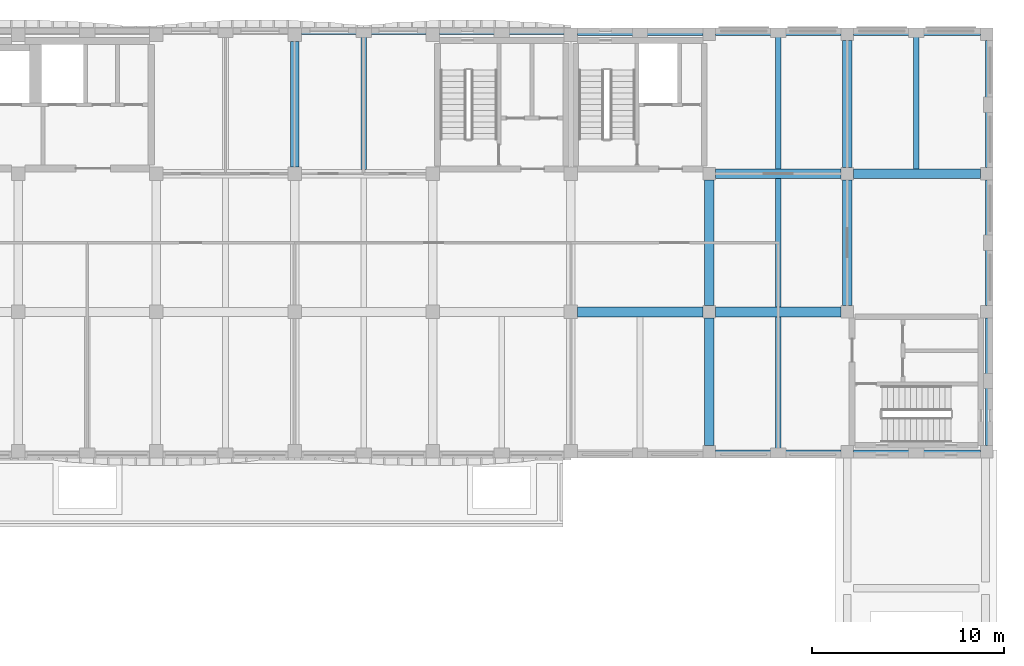
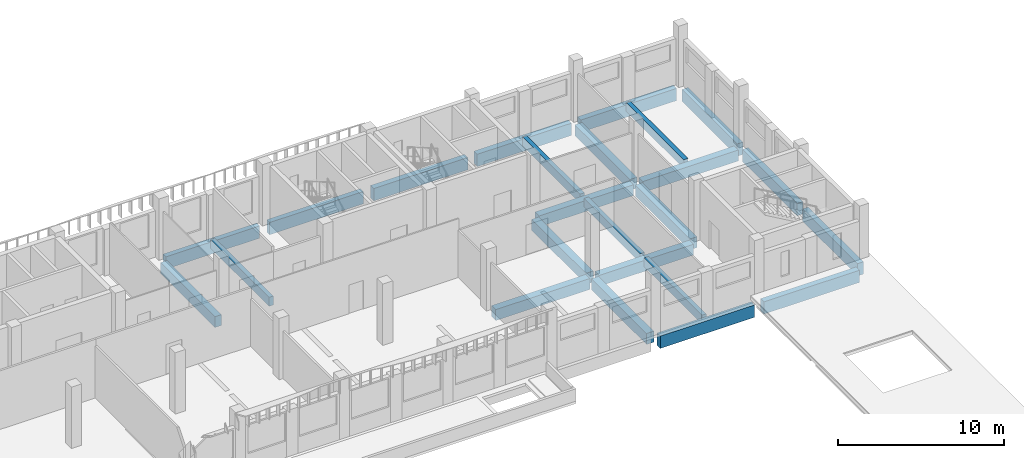
# One storey, part 13 of 59: 24 beams.
"""IFC4 building model written with IfcOpenShell, lengths in metres."""

import ifcopenshell
import ifcopenshell.guid

model = None  # the IFC model being written
_history = None  # IfcOwnerHistory: only IFC2X3 demands one
_inside = {}  # id of a spatial element -> (the spatial element, [elements in it])
_under = {}  # id of a project, library or spatial element -> (it, [spatial elements below it])
_declared = {}  # id of a project -> (the project, [libraries it declares])
_typed = {}  # id of a type object -> (the type object, [elements of that type])
_made_of = {}  # id of a material, layer set ... -> (it, [elements and type objects made of it])


def new_model(schema):
    """Start an empty IFC model of exactly this schema.

    Asked for "IFC4X3", IfcOpenShell would pick the latest addendum, in which some entities
    have other attributes; the version numbers below select the first issue.
    IFC2X3 requires an IfcOwnerHistory on every rooted entity: one is made here for all.
    """
    global model, _history
    if schema == "IFC4X3":
        model = ifcopenshell.file(schema_version=(4, 3, 0, 0))
    else:
        model = ifcopenshell.file(schema=schema)
    _inside.clear()
    _under.clear()
    _declared.clear()
    _typed.clear()
    _made_of.clear()
    _history = None
    if model.schema == "IFC2X3":
        org = make("IfcOrganization", Name="unknown")
        user = make(
            "IfcPersonAndOrganization",
            ThePerson=make("IfcPerson", FamilyName="unknown"),
            TheOrganization=org,
        )
        app = make(
            "IfcApplication",
            ApplicationDeveloper=org,
            Version="unknown",
            ApplicationFullName="unknown",
            ApplicationIdentifier="unknown",
        )
        _history = make(
            "IfcOwnerHistory",
            OwningUser=user,
            OwningApplication=app,
            ChangeAction="ADDED",
            CreationDate=0,
        )
    return model


def make(cls, **values):
    """One entity of the class cls with the attributes given. An attribute that is None is left unset."""
    return model.create_entity(
        cls, **{name: value for name, value in values.items() if value is not None}
    )


def rooted(cls, **values):
    """An entity with a GlobalId (a new one), such as an element, a storey or a relation."""
    return make(cls, GlobalId=ifcopenshell.guid.new(), OwnerHistory=_history, **values)


def si_unit(unit_type, name, prefix=None):
    """IfcSIUnit, for example si_unit("LENGTHUNIT", "METRE", prefix="MILLI")."""
    return make("IfcSIUnit", UnitType=unit_type, Prefix=prefix, Name=name)


def assignment(units):
    """IfcUnitAssignment: the units of a project."""
    return None if units is None else make("IfcUnitAssignment", Units=units)


def point(xyz):
    """IfcCartesianPoint."""
    return None if xyz is None else make("IfcCartesianPoint", Coordinates=xyz)


def direction(xyz):
    """IfcDirection."""
    return None if xyz is None else make("IfcDirection", DirectionRatios=xyz)


def frame(location, z_axis=None, x_axis=None):
    """IfcAxis2Placement3D, a coordinate frame: its origin and axes. An axis left out is left unset."""
    return make(
        "IfcAxis2Placement3D",
        Location=point(location),
        Axis=direction(z_axis),
        RefDirection=direction(x_axis),
    )


def frame_2d(location, x_axis=None):
    """IfcAxis2Placement2D, a coordinate frame in the plane: its origin and x axis."""
    return make(
        "IfcAxis2Placement2D", Location=point(location), RefDirection=direction(x_axis)
    )


def origin():
    """The frame at (0, 0, 0) with its axes left unset."""
    return frame((0.0, 0.0, 0.0))


def origin_2d():
    """The frame at (0, 0) in the plane with its x axis left unset."""
    return frame_2d((0.0, 0.0))


def place(relative_to, where):
    """IfcLocalPlacement: puts the frame where relative to a parent placement (None: the world)."""
    return make(
        "IfcLocalPlacement", PlacementRelTo=relative_to, RelativePlacement=where
    )


def context(
    kind, dimensions, precision=None, world=None, true_north=None, identifier=None
):
    """IfcGeometricRepresentationContext, for example the 3D "Model" context."""
    return make(
        "IfcGeometricRepresentationContext",
        ContextIdentifier=identifier,
        ContextType=kind,
        CoordinateSpaceDimension=dimensions,
        Precision=precision,
        WorldCoordinateSystem=world,
        TrueNorth=true_north,
    )


def subcontext(parent, identifier, kind, view, scale=None):
    """IfcGeometricRepresentationSubContext, for example "Body" below "Model"."""
    return make(
        "IfcGeometricRepresentationSubContext",
        ContextIdentifier=identifier,
        ContextType=kind,
        ParentContext=parent,
        TargetScale=scale,
        TargetView=view,
    )


def project(units=None, contexts=None):
    """IfcProject with its units and contexts."""
    return rooted(
        "IfcProject",
        Name="project",
        RepresentationContexts=contexts,
        UnitsInContext=assignment(units),
    )


def spatial(cls, under=None, at=None, **own):
    """A site, building, storey or space (cls), placed at a placement, below another one or the project."""
    s = rooted(cls, ObjectPlacement=at, **own)
    if under is not None:
        _under.setdefault(under.id(), (under, []))[1].append(s)
    return s


def profile(cls, at=None, kind="AREA", **sizes):
    """A parametric profile (cls). Its sizes go by their IFC names, for example OverallWidth=200.0."""
    return make(cls, ProfileType=kind, Position=at, **sizes)


def rectangle(**sizes):
    """IfcRectangleProfileDef."""
    return profile("IfcRectangleProfileDef", **sizes)


def extrude(swept, where, along, depth):
    """IfcExtrudedAreaSolid: the profile swept, set in the frame where, extruded along a direction by depth."""
    return make(
        "IfcExtrudedAreaSolid",
        SweptArea=swept,
        Position=where,
        ExtrudedDirection=direction(along),
        Depth=depth,
    )


def shape(context_of_items, identifier, shape_type, items):
    """IfcShapeRepresentation: the items that make up one representation, for example the "Body"."""
    return make(
        "IfcShapeRepresentation",
        ContextOfItems=context_of_items,
        RepresentationIdentifier=identifier,
        RepresentationType=shape_type,
        Items=items,
    )


def material(Name=None, Category=None):
    """IfcMaterial."""
    return make("IfcMaterial", Name=Name, Category=Category)


def material_profile(
    of_material, cross_section, Name=None, Category=None, Priority=None
):
    """IfcMaterialProfile: a cross section and its material."""
    return make(
        "IfcMaterialProfile",
        Name=Name,
        Material=of_material,
        Profile=cross_section,
        Priority=Priority,
        Category=Category,
    )


def profile_set(profiles, Name=None, composite=None):
    """IfcMaterialProfileSet."""
    return make(
        "IfcMaterialProfileSet",
        Name=Name,
        MaterialProfiles=profiles,
        CompositeProfile=composite,
    )


def made_of(thing, what):
    """Note that an element or type object is made of a material, layer set ...; save() writes the relation."""
    if what is not None:
        _made_of.setdefault(what.id(), (what, []))[1].append(thing)
    return thing


def type_object(cls, material=None, **own):
    """A type object (cls), such as IfcWallType, which elements share."""
    return made_of(rooted(cls, **own), material)


def element(
    cls,
    number,
    at=None,
    inside=None,
    cuts=None,
    type_object=None,
    material=None,
    context=None,
    identifier="Body",
    shape_type=None,
    held_by="IfcProductDefinitionShape",
    body=None,
    shapes=None,
    **own,
):
    """One element of the class cls, such as IfcWall. Its Tag is "e" and its number.

    at: its placement. inside: the storey or other place that contains it. cuts: it is an
    opening in that element (IfcRelVoidsElement). A single representation is given by context,
    identifier, shape_type and body (its items); several are given by shapes. held_by: the class
    of the entity that holds the representations. save() writes the other relations.
    """
    e = rooted(cls, Tag="e%d" % number, ObjectPlacement=at, **own)
    if body is not None:
        shapes = [shape(context, identifier, shape_type, body)]
    if shapes is not None:
        e.Representation = make(held_by, Representations=shapes)
    if inside is not None:
        _inside.setdefault(inside.id(), (inside, []))[1].append(e)
    if cuts is not None:
        rooted(
            "IfcRelVoidsElement", RelatingBuildingElement=cuts, RelatedOpeningElement=e
        )
    if type_object is not None:
        _typed.setdefault(type_object.id(), (type_object, []))[1].append(e)
    return made_of(e, material)


def aggregate(whole, parts):
    """IfcRelAggregates: a whole, such as a stair, and the parts it consists of."""
    return rooted("IfcRelAggregates", RelatingObject=whole, RelatedObjects=parts)


def save(model, path):
    """Write the relations noted so far, then the file.

    IfcRelAggregates (storeys below a building ...), IfcRelContainedInSpatialStructure (elements
    in a storey), IfcRelDefinesByType, IfcRelAssociatesMaterial and IfcRelDeclares: one each for
    every whole, place, type object, material and project.
    """
    for whole, parts in _under.values():
        aggregate(whole, parts)
    for where, things in _inside.values():
        rooted(
            "IfcRelContainedInSpatialStructure",
            RelatedElements=things,
            RelatingStructure=where,
        )
    for kind, things in _typed.values():
        rooted("IfcRelDefinesByType", RelatedObjects=things, RelatingType=kind)
    for what, things in _made_of.values():
        rooted("IfcRelAssociatesMaterial", RelatedObjects=things, RelatingMaterial=what)
    for by, libraries in _declared.values():
        rooted("IfcRelDeclares", RelatingContext=by, RelatedDefinitions=libraries)
    model.write(path)


model = new_model("IFC4")

# Units and contexts
model_context = context("Model", 3, precision=1e-05, world=origin(), true_north=direction((0.0, 1.0)))
body_context = subcontext(model_context, "Body", "Model", "MODEL_VIEW")
ifc_project = project(units=[si_unit("LENGTHUNIT", "METRE"), si_unit("AREAUNIT", "SQUARE_METRE"), si_unit("VOLUMEUNIT", "CUBIC_METRE"), si_unit("PLANEANGLEUNIT", "RADIAN"), si_unit("MASSUNIT", "GRAM", prefix="KILO")], contexts=[model_context])

# Site, building, storey
site_placement = place(None, origin())
site = spatial("IfcSite", under=ifc_project, at=site_placement, CompositionType="ELEMENT")
building_placement = place(site_placement, origin())
building = spatial("IfcBuilding", under=site, at=building_placement, Name="Ussher Court Research Institute", CompositionType="ELEMENT")
storey_placement = place(building_placement, frame((0.0, 0.0, 5.39990234375)))
storey = spatial("IfcBuildingStorey", under=building, at=storey_placement, Name="L01", CompositionType="ELEMENT", Elevation=5.39990234375)

# Beams
ifc_material_1 = material(Name="Concrete C35/45", Category="concrete")
ifc_material_profile_1 = material_profile(ifc_material_1, rectangle(XDim=0.300048828125, YDim=0.64990234375, at=origin_2d()), Name="RC 300x650")
ifc_profile_set_1 = profile_set([ifc_material_profile_1], Name="Concrete C35/45")
beam_type_1 = type_object("IfcBeamType", Name="RC 300x650 beam", PredefinedType="BEAM", material=ifc_profile_set_1)
beam_1_placement = place(storey_placement, frame((71.39990234375, 83.425048828125, -0.324951171875), z_axis=(0.0, 1.0, 0.0), x_axis=(-1.0, 0.0, 0.0)))
element("IfcBeam", 1, at=beam_1_placement, inside=storey, type_object=beam_type_1, Name="B4 V5 L01-24", PredefinedType="BEAM", context=body_context, shape_type="SweptSolid", body=[
    extrude(rectangle(XDim=0.300048828125, YDim=0.64990234375, at=origin_2d()), origin(), (0.0, 0.0, 1.0), 7.02490234375),
])
beam_2_placement = place(storey_placement, frame((93.0, 68.800048828125, -0.324951171875), z_axis=(0.0, 1.0, 0.0), x_axis=(-1.0, 0.0, 0.0)))
element("IfcBeam", 2, at=beam_2_placement, inside=storey, type_object=beam_type_1, Name="B4 V3 L01-02", PredefinedType="BEAM", context=body_context, shape_type="SweptSolid", body=[
    extrude(rectangle(XDim=0.300048828125, YDim=0.64990234375, at=origin_2d()), origin(), (0.0, 0.0, 1.0), 6.949951171875),
])
beam_3_placement = place(storey_placement, frame((93.0, 76.25, -0.324951171875), z_axis=(0.0, 1.0, 0.0), x_axis=(-1.0, 0.0, 0.0)))
element("IfcBeam", 3, at=beam_3_placement, inside=storey, type_object=beam_type_1, Name="B4 V3 L01-03", PredefinedType="BEAM", context=body_context, shape_type="SweptSolid", body=[
    extrude(rectangle(XDim=0.300048828125, YDim=0.64990234375, at=origin_2d()), origin(), (0.0, 0.0, 1.0), 6.699951171875),
])
for number, where, z_axis, x_axis, name in (
    (4, (93.0, 83.449951171875, -0.324951171875), (0.0, 1.0, 0.0), (-1.0, 0.0, 0.0), "B4 V3 L01-04"),
    (5, (100.199951171875, 83.449951171875, -0.324951171875), (0.0, 1.0, 0.0), (-1.0, 0.0, 0.0), "B4 V3 L01-05"),
):
    element("IfcBeam", number, at=place(storey_placement, frame(where, z_axis=z_axis, x_axis=x_axis)), inside=storey, type_object=beam_type_1, Name=name, PredefinedType="BEAM", context=body_context, shape_type="SweptSolid", body=[
        extrude(rectangle(XDim=0.300048828125, YDim=0.64990234375, at=origin_2d()), origin(), (0.0, 0.0, 1.0), 6.949951171875),
    ])
ifc_material_2 = material(Name="Concrete C35/45", Category="concrete")
ifc_material_profile_2 = material_profile(ifc_material_2, rectangle(XDim=0.35009765625, YDim=0.89990234375, at=origin_2d()), Name="RC 350x900")
ifc_profile_set_2 = profile_set([ifc_material_profile_2], Name="Concrete C35/45")
beam_type_2 = type_object("IfcBeamType", Name="RC 350x900 beam", PredefinedType="BEAM", material=ifc_profile_set_2)
for number, where, z_axis, x_axis, name in (
    (6, (68.14990234375, 90.625, -0.64990234375), (1.0, 0.0, 0.0), (0.0, 1.0, 0.0), "SB1 V5 L01-21"),
    (7, (75.35009765625, 90.625, -0.64990234375), (1.0, 0.0, 0.0), (0.0, 1.0, 0.0), "SB1 V5 L01-22"),
):
    element("IfcBeam", number, at=place(storey_placement, frame(where, z_axis=z_axis, x_axis=x_axis)), inside=storey, type_object=beam_type_2, Name=name, PredefinedType="BEAM", context=body_context, shape_type="SweptSolid", body=[
        extrude(rectangle(XDim=0.35009765625, YDim=0.89990234375, at=origin_2d()), origin(), (0.0, 0.0, 1.0), 6.5),
    ])
ifc_material_3 = material(Name="Concrete C35/45", Category="concrete")
ifc_material_profile_3 = material_profile(ifc_material_3, rectangle(XDim=0.39990234375, YDim=0.89990234375, at=origin_2d()), Name="RC 400x900")
ifc_profile_set_3 = profile_set([ifc_material_profile_3], Name="Concrete C35/45")
beam_type_3 = type_object("IfcBeamType", Name="RC 400x900 beam", PredefinedType="BEAM", material=ifc_profile_set_3)
beam_4_placement = place(storey_placement, frame((89.72509765625, 68.60009765625, -0.64990234375), z_axis=(1.0, 0.0, 0.0), x_axis=(0.0, 1.0, 0.0)))
element("IfcBeam", 8, at=beam_4_placement, inside=storey, type_object=beam_type_3, Name="B8 V3 L01-02", PredefinedType="BEAM", context=body_context, shape_type="SweptSolid", body=[
    extrude(rectangle(XDim=0.39990234375, YDim=0.89990234375, at=origin_2d()), origin(), (0.0, 0.0, 1.0), 6.5498046875),
])
beam_5_placement = place(storey_placement, frame((96.925048828125, 68.60009765625, -0.64990234375), z_axis=(1.0, 0.0, 0.0), x_axis=(0.0, 1.0, 0.0)))
element("IfcBeam", 9, at=beam_5_placement, inside=storey, type_object=beam_type_3, Name="B8 V3 L01-03", PredefinedType="BEAM", context=body_context, shape_type="SweptSolid", body=[
    extrude(rectangle(XDim=0.39990234375, YDim=0.89990234375, at=origin_2d()), origin(), (0.0, 0.0, 1.0), 6.625),
])
beam_6_placement = place(storey_placement, frame((82.550048828125, 90.60009765625, -0.64990234375), z_axis=(1.0, 0.0, 0.0), x_axis=(0.0, 1.0, 0.0)))
element("IfcBeam", 10, at=beam_6_placement, inside=storey, type_object=beam_type_3, Name="B8 V3 L01-04", PredefinedType="BEAM", context=body_context, shape_type="SweptSolid", body=[
    extrude(rectangle(XDim=0.39990234375, YDim=0.89990234375, at=origin_2d()), origin(), (0.0, 0.0, 1.0), 6.52490234375),
])
beam_7_placement = place(storey_placement, frame((89.72509765625, 90.60009765625, -0.64990234375), z_axis=(1.0, 0.0, 0.0), x_axis=(0.0, 1.0, 0.0)))
element("IfcBeam", 11, at=beam_7_placement, inside=storey, type_object=beam_type_3, Name="B8 V3 L01-05", PredefinedType="BEAM", context=body_context, shape_type="SweptSolid", body=[
    extrude(rectangle(XDim=0.39990234375, YDim=0.89990234375, at=origin_2d()), origin(), (0.0, 0.0, 1.0), 6.5498046875),
])
for number, where, z_axis, x_axis, name in (
    (12, (96.925048828125, 90.60009765625, -0.64990234375), (1.0, 0.0, 0.0), (0.0, 1.0, 0.0), "B8 V3 L01-06"),
    (13, (104.0, 69.050048828125, -0.64990234375), (0.0, 1.0, 0.0), (-1.0, 0.0, 0.0), "B8 V3 L01-07"),
):
    element("IfcBeam", number, at=place(storey_placement, frame(where, z_axis=z_axis, x_axis=x_axis)), inside=storey, type_object=beam_type_3, Name=name, PredefinedType="BEAM", context=body_context, shape_type="SweptSolid", body=[
        extrude(rectangle(XDim=0.39990234375, YDim=0.89990234375, at=origin_2d()), origin(), (0.0, 0.0, 1.0), 6.625),
    ])
beam_8_placement = place(storey_placement, frame((104.0, 76.324951171875, -0.64990234375), z_axis=(0.0, 1.0, 0.0), x_axis=(-1.0, 0.0, 0.0)))
element("IfcBeam", 14, at=beam_8_placement, inside=storey, type_object=beam_type_3, Name="B8 V3 L01-08", PredefinedType="BEAM", context=body_context, shape_type="SweptSolid", body=[
    extrude(rectangle(XDim=0.39990234375, YDim=0.89990234375, at=origin_2d()), origin(), (0.0, 0.0, 1.0), 6.550048828125),
])
beam_9_placement = place(storey_placement, frame((104.0, 83.52490234375, -0.64990234375), z_axis=(0.0, 1.0, 0.0), x_axis=(-1.0, 0.0, 0.0)))
element("IfcBeam", 15, at=beam_9_placement, inside=storey, type_object=beam_type_3, Name="B8 V3 L01-09", PredefinedType="BEAM", context=body_context, shape_type="SweptSolid", body=[
    extrude(rectangle(XDim=0.39990234375, YDim=0.89990234375, at=origin_2d()), origin(), (0.0, 0.0, 1.0), 6.625),
])
ifc_material_4 = material(Name="Concrete C35/45", Category="concrete")
ifc_material_profile_4 = material_profile(ifc_material_4, rectangle(XDim=0.449951171875, YDim=0.800048828125, at=origin_2d()), Name="RC 450x800")
ifc_profile_set_4 = profile_set([ifc_material_profile_4], Name="Concrete C35/45")
beam_type_4 = type_object("IfcBeamType", Name="RC 450x800 beam", PredefinedType="BEAM", material=ifc_profile_set_4)
beam_10_placement = place(storey_placement, frame((67.800048828125, 83.550048828125, -0.599853515625), z_axis=(0.0, 1.0, 0.0), x_axis=(-1.0, 0.0, 0.0)))
element("IfcBeam", 16, at=beam_10_placement, inside=storey, type_object=beam_type_4, Name="B11 V5 L01-41", PredefinedType="BEAM", context=body_context, shape_type="SweptSolid", body=[
    extrude(rectangle(XDim=0.449951171875, YDim=0.800048828125, at=origin_2d()), origin(), (0.0, 0.0, 1.0), 6.550048828125),
])
ifc_material_5 = material(Name="Concrete C35/45", Category="concrete")
ifc_material_profile_5 = material_profile(ifc_material_5, rectangle(XDim=0.5, YDim=0.800048828125, at=origin_2d()), Name="RC 500x800")
ifc_profile_set_5 = profile_set([ifc_material_profile_5], Name="Concrete C35/45")
beam_type_5 = type_object("IfcBeamType", Name="RC 500x800 beam", PredefinedType="BEAM", material=ifc_profile_set_5)
beam_11_placement = place(storey_placement, frame((82.550048828125, 76.0, -0.599853515625), z_axis=(1.0, 0.0, 0.0), x_axis=(0.0, 1.0, 0.0)))
element("IfcBeam", 17, at=beam_11_placement, inside=storey, type_object=beam_type_5, Name="B20 V3 L01-01", PredefinedType="BEAM", context=body_context, shape_type="SweptSolid", body=[
    extrude(rectangle(XDim=0.5, YDim=0.800048828125, at=origin_2d()), origin(), (0.0, 0.0, 1.0), 6.52490234375),
])
for number, where, z_axis, x_axis, name in (
    (18, (89.72509765625, 76.0, -0.599853515625), (1.0, 0.0, 0.0), (0.0, 1.0, 0.0), "B20 V3 L01-02"),
    (19, (89.72509765625, 83.199951171875, -0.599853515625), (1.0, 0.0, 0.0), (0.0, 1.0, 0.0), "B20 V3 L01-03"),
):
    element("IfcBeam", number, at=place(storey_placement, frame(where, z_axis=z_axis, x_axis=x_axis)), inside=storey, type_object=beam_type_5, Name=name, PredefinedType="BEAM", context=body_context, shape_type="SweptSolid", body=[
        extrude(rectangle(XDim=0.5, YDim=0.800048828125, at=origin_2d()), origin(), (0.0, 0.0, 1.0), 6.5498046875),
    ])
for number, where, z_axis, x_axis, name in (
    (20, (96.925048828125, 83.199951171875, -0.599853515625), (1.0, 0.0, 0.0), (0.0, 1.0, 0.0), "B20 V3 L01-04"),
    (21, (89.39990234375, 69.050048828125, -0.599853515625), (0.0, 1.0, 0.0), (-1.0, 0.0, 0.0), "B20 V3 L01-05"),
):
    element("IfcBeam", number, at=place(storey_placement, frame(where, z_axis=z_axis, x_axis=x_axis)), inside=storey, type_object=beam_type_5, Name=name, PredefinedType="BEAM", context=body_context, shape_type="SweptSolid", body=[
        extrude(rectangle(XDim=0.5, YDim=0.800048828125, at=origin_2d()), origin(), (0.0, 0.0, 1.0), 6.625),
    ])
for number, where, z_axis, x_axis, name in (
    (22, (89.39990234375, 76.324951171875, -0.599853515625), (0.0, 1.0, 0.0), (-1.0, 0.0, 0.0), "B20 V3 L01-06"),
    (23, (96.60009765625, 76.324951171875, -0.599853515625), (0.0, 1.0, 0.0), (-1.0, 0.0, 0.0), "B20 V3 L01-07"),
):
    element("IfcBeam", number, at=place(storey_placement, frame(where, z_axis=z_axis, x_axis=x_axis)), inside=storey, type_object=beam_type_5, Name=name, PredefinedType="BEAM", context=body_context, shape_type="SweptSolid", body=[
        extrude(rectangle(XDim=0.5, YDim=0.800048828125, at=origin_2d()), origin(), (0.0, 0.0, 1.0), 6.550048828125),
    ])
beam_12_placement = place(storey_placement, frame((96.60009765625, 83.52490234375, -0.599853515625), z_axis=(0.0, 1.0, 0.0), x_axis=(-1.0, 0.0, 0.0)))
element("IfcBeam", 24, at=beam_12_placement, inside=storey, type_object=beam_type_5, Name="B20 V3 L01-08", PredefinedType="BEAM", context=body_context, shape_type="SweptSolid", body=[
    extrude(rectangle(XDim=0.5, YDim=0.800048828125, at=origin_2d()), origin(), (0.0, 0.0, 1.0), 6.625),
])

save(model, "model.ifc")
